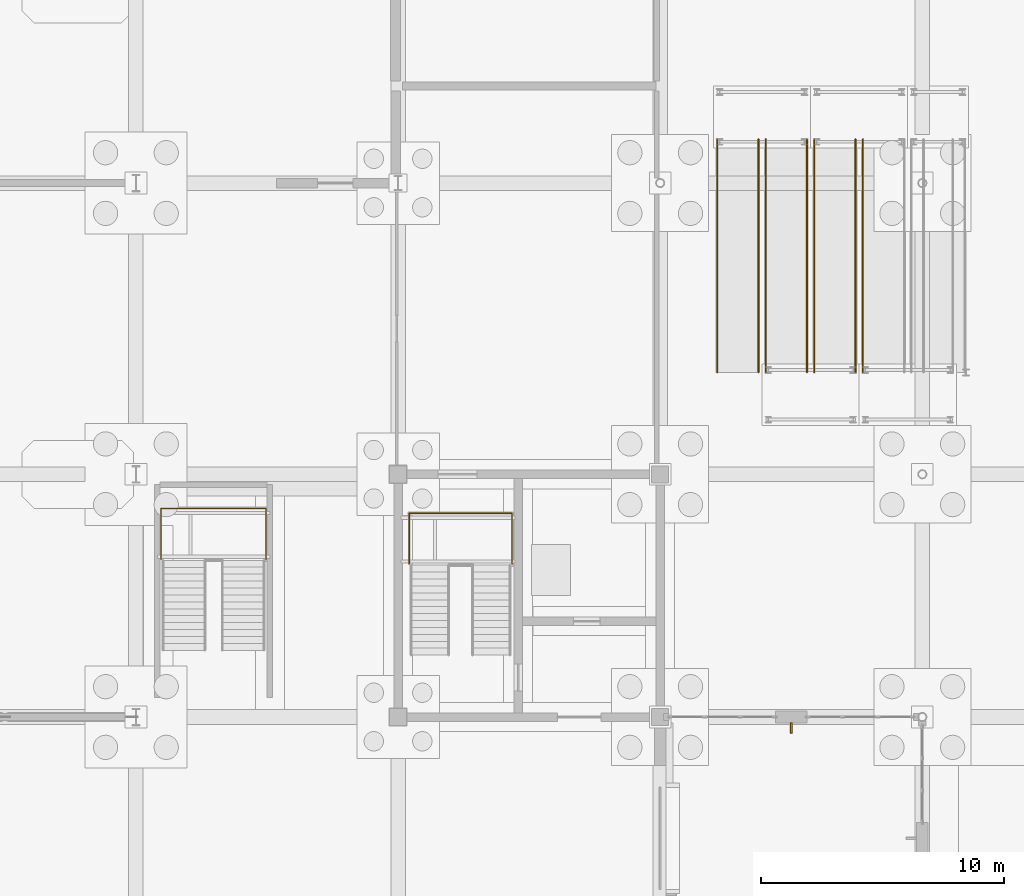
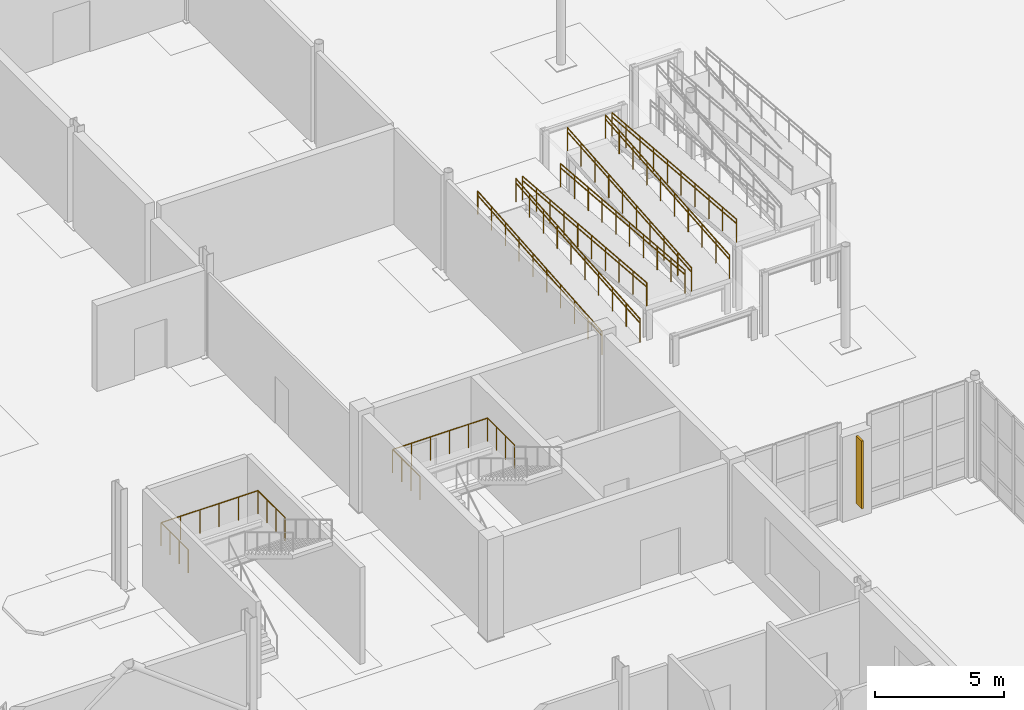
# One storey, part 63 of 73: 16 railings, 1 shading device.
"""IFC4 building model written with IfcOpenShell, lengths in metres."""

from ifc_helpers import new_model, si_unit, direction, frame, origin, origin_2d, place, context, subcontext, project, spatial, rectangle, circle, extrude, material, type_object, element, save


model = new_model("IFC4")

# Units and contexts
model_context = context("Model", 3, precision=1e-05, world=origin(), true_north=direction((0.0, 1.0)))
body_context = subcontext(model_context, "Body", "Model", "MODEL_VIEW")
ifc_project = project(units=[si_unit("LENGTHUNIT", "METRE"), si_unit("AREAUNIT", "SQUARE_METRE"), si_unit("VOLUMEUNIT", "CUBIC_METRE"), si_unit("PLANEANGLEUNIT", "RADIAN"), si_unit("MASSUNIT", "GRAM", prefix="KILO")], contexts=[model_context])

# Site, building, storey
site_placement = place(None, origin())
site = spatial("IfcSite", under=ifc_project, at=site_placement, CompositionType="ELEMENT")
building_placement = place(site_placement, origin())
building = spatial("IfcBuilding", under=site, at=building_placement, Name="Tasgan Crest Museum", CompositionType="ELEMENT")
storey_placement = place(building_placement, origin())
storey = spatial("IfcBuildingStorey", under=building, at=storey_placement, Name="L00", CompositionType="ELEMENT", Elevation=0.0)

# Railings
ifc_material_1 = material(Name="Brushed Bronze and Toughened Glass", Category="glass")
railing_type_1 = type_object("IfcRailingType", Name="RL-INT-GUARD-1120", PredefinedType="GUARDRAIL", material=ifc_material_1)
railing_1_placement = place(storey_placement, frame((43.659912109375, 46.294921875, 2.39990234375)))
element("IfcRailing", 1, at=railing_1_placement, inside=storey, type_object=railing_type_1, Name="Stair half-landing perimeter guard ST-SW-L00 T1", PredefinedType="GUARDRAIL", context=body_context, shape_type="SweptSolid", body=[
    extrude(circle(Radius=0.02392578125, at=origin_2d()), frame((0.0, 0.0, 1.09619140625), z_axis=(0.0, 1.0, 0.0), x_axis=(-1.0, 0.0, 0.0)), (0.0, 0.0, 1.0), 2.10009765625),
    extrude(circle(Radius=0.02392578125, at=origin_2d()), frame((0.0, 2.10009765625, 1.09619140625), z_axis=(1.0, 0.0, 0.0), x_axis=(0.0, 1.0, 0.0)), (0.0, 0.0, 1.0), 4.22998046875),
    extrude(circle(Radius=0.02392578125, at=origin_2d()), frame((4.22998046875, 2.10009765625, 1.09619140625), z_axis=(0.0, -1.0, 0.0), x_axis=(1.0, 0.0, 0.0)), (0.0, 0.0, 1.0), 2.10009765625),
    extrude(circle(Radius=0.02099609375, at=origin_2d()), origin(), (0.0, 0.0, 1.0), 1.072021484375),
    extrude(circle(Radius=0.02099609375, at=origin_2d()), frame((0.0, 0.699951171875, 0.0)), (0.0, 0.0, 1.0), 1.072021484375),
    extrude(circle(Radius=0.02099609375, at=origin_2d()), frame((0.0, 1.400146484375, 0.0)), (0.0, 0.0, 1.0), 1.072021484375),
    extrude(circle(Radius=0.02099609375, at=origin_2d()), frame((0.0, 2.10009765625, 0.0)), (0.0, 0.0, 1.0), 1.072021484375),
    extrude(circle(Radius=0.02099609375, at=origin_2d()), frame((0.845947265625, 2.10009765625, 0.0)), (0.0, 0.0, 1.0), 1.072021484375),
    extrude(circle(Radius=0.02099609375, at=origin_2d()), frame((1.69189453125, 2.10009765625, 0.0)), (0.0, 0.0, 1.0), 1.072021484375),
    extrude(circle(Radius=0.02099609375, at=origin_2d()), frame((2.5380859375, 2.10009765625, 0.0)), (0.0, 0.0, 1.0), 1.072021484375),
    extrude(circle(Radius=0.02099609375, at=origin_2d()), frame((3.384033203125, 2.10009765625, 0.0)), (0.0, 0.0, 1.0), 1.072021484375),
    extrude(circle(Radius=0.02099609375, at=origin_2d()), frame((4.22998046875, 2.10009765625, 0.0)), (0.0, 0.0, 1.0), 1.072021484375),
    extrude(circle(Radius=0.02099609375, at=origin_2d()), frame((4.22998046875, 1.400146484375, 0.0)), (0.0, 0.0, 1.0), 1.072021484375),
    extrude(circle(Radius=0.02099609375, at=origin_2d()), frame((4.22998046875, 0.699951171875, 0.0)), (0.0, 0.0, 1.0), 1.072021484375),
    extrude(circle(Radius=0.02099609375, at=origin_2d()), frame((4.22998046875, 0.0, 0.0)), (0.0, 0.0, 1.0), 1.072021484375),
])
railing_2_placement = place(storey_placement, frame((33.43994140625, 46.4951171875, 2.39990234375)))
element("IfcRailing", 2, at=railing_2_placement, inside=storey, type_object=railing_type_1, Name="Stair half-landing perimeter guard ST-GP-L00 T1", PredefinedType="GUARDRAIL", context=body_context, shape_type="SweptSolid", body=[
    extrude(circle(Radius=0.02392578125, at=origin_2d()), frame((0.0, 0.0, 1.09619140625), z_axis=(0.0, 1.0, 0.0), x_axis=(-1.0, 0.0, 0.0)), (0.0, 0.0, 1.0), 2.099853515625),
    extrude(circle(Radius=0.02392578125, at=origin_2d()), frame((0.0, 2.099853515625, 1.09619140625), z_axis=(1.0, 0.0, 0.0), x_axis=(0.0, 1.0, 0.0)), (0.0, 0.0, 1.0), 4.320068359375),
    extrude(circle(Radius=0.02392578125, at=origin_2d()), frame((4.320068359375, 2.099853515625, 1.09619140625), z_axis=(0.0, -1.0, 0.0), x_axis=(1.0, 0.0, 0.0)), (0.0, 0.0, 1.0), 2.099853515625),
    extrude(circle(Radius=0.02099609375, at=origin_2d()), origin(), (0.0, 0.0, 1.0), 1.072021484375),
    extrude(circle(Radius=0.02099609375, at=origin_2d()), frame((0.0, 0.699951171875, 0.0)), (0.0, 0.0, 1.0), 1.072021484375),
    extrude(circle(Radius=0.02099609375, at=origin_2d()), frame((0.0, 1.39990234375, 0.0)), (0.0, 0.0, 1.0), 1.072021484375),
    extrude(circle(Radius=0.02099609375, at=origin_2d()), frame((0.0, 2.099853515625, 0.0)), (0.0, 0.0, 1.0), 1.072021484375),
    extrude(circle(Radius=0.02099609375, at=origin_2d()), frame((0.864013671875, 2.099853515625, 0.0)), (0.0, 0.0, 1.0), 1.072021484375),
    extrude(circle(Radius=0.02099609375, at=origin_2d()), frame((1.72802734375, 2.099853515625, 0.0)), (0.0, 0.0, 1.0), 1.072021484375),
    extrude(circle(Radius=0.02099609375, at=origin_2d()), frame((2.592041015625, 2.099853515625, 0.0)), (0.0, 0.0, 1.0), 1.072021484375),
    extrude(circle(Radius=0.02099609375, at=origin_2d()), frame((3.4560546875, 2.099853515625, 0.0)), (0.0, 0.0, 1.0), 1.072021484375),
    extrude(circle(Radius=0.02099609375, at=origin_2d()), frame((4.320068359375, 2.099853515625, 0.0)), (0.0, 0.0, 1.0), 1.072021484375),
    extrude(circle(Radius=0.02099609375, at=origin_2d()), frame((4.320068359375, 1.39990234375, 0.0)), (0.0, 0.0, 1.0), 1.072021484375),
    extrude(circle(Radius=0.02099609375, at=origin_2d()), frame((4.320068359375, 0.699951171875, 0.0)), (0.0, 0.0, 1.0), 1.072021484375),
    extrude(circle(Radius=0.02099609375, at=origin_2d()), frame((4.320068359375, 0.0, 0.0)), (0.0, 0.0, 1.0), 1.072021484375),
])
for number, where, name in (
    (3, (56.35009765625, 54.199951171875, 0.0), "Ramp edge guard 1L"),
    (4, (58.050048828125, 54.199951171875, 0.0), "Ramp edge guard 1R"),
):
    element("IfcRailing", number, at=place(storey_placement, frame(where)), inside=storey, type_object=railing_type_1, Name=name, PredefinedType="GUARDRAIL", context=body_context, shape_type="SweptSolid", body=[
        extrude(circle(Radius=0.02392578125, at=origin_2d()), frame((0.0, 0.0, 1.09619140625), z_axis=(0.0, 0.996545408675, 0.08304967459), x_axis=(-1.0, 0.0, 0.0)), (0.0, 0.0, 1.0), 9.63330078125),
        extrude(circle(Radius=0.02099609375, at=origin_2d()), origin(), (0.0, 0.0, 1.0), 1.072021484375),
        extrude(circle(Radius=0.02099609375, at=origin_2d()), frame((0.0, 1.066650390625, 0.0888671875)), (0.0, 0.0, 1.0), 1.072021484375),
        extrude(circle(Radius=0.02099609375, at=origin_2d()), frame((0.0, 2.13330078125, 0.177734375)), (0.0, 0.0, 1.0), 1.072021484375),
        extrude(circle(Radius=0.02099609375, at=origin_2d()), frame((0.0, 3.199951171875, 0.2666015625)), (0.0, 0.0, 1.0), 1.072021484375),
        extrude(circle(Radius=0.02099609375, at=origin_2d()), frame((0.0, 4.2666015625, 0.35546875)), (0.0, 0.0, 1.0), 1.072021484375),
        extrude(circle(Radius=0.02099609375, at=origin_2d()), frame((0.0, 5.33349609375, 0.444580078125)), (0.0, 0.0, 1.0), 1.072021484375),
        extrude(circle(Radius=0.02099609375, at=origin_2d()), frame((0.0, 6.400146484375, 0.533447265625)), (0.0, 0.0, 1.0), 1.072021484375),
        extrude(circle(Radius=0.02099609375, at=origin_2d()), frame((0.0, 7.466796875, 0.622314453125)), (0.0, 0.0, 1.0), 1.072021484375),
        extrude(circle(Radius=0.02099609375, at=origin_2d()), frame((0.0, 8.533447265625, 0.711181640625)), (0.0, 0.0, 1.0), 1.072021484375),
        extrude(circle(Radius=0.02099609375, at=origin_2d()), frame((0.0, 9.60009765625, 0.800048828125)), (0.0, 0.0, 1.0), 1.072021484375),
    ])
for number, where, name in (
    (5, (60.050048828125, 63.800048828125, 0.800048828125), "Ramp edge guard 2L"),
    (6, (58.35009765625, 63.800048828125, 0.800048828125), "Ramp edge guard 2R"),
):
    element("IfcRailing", number, at=place(storey_placement, frame(where)), inside=storey, type_object=railing_type_1, Name=name, PredefinedType="GUARDRAIL", context=body_context, shape_type="SweptSolid", body=[
        extrude(circle(Radius=0.02392578125, at=origin_2d()), frame((0.0, 0.0, 1.09619140625), z_axis=(0.0, -0.996545408675, 0.08304967459), x_axis=(1.0, 0.0, 0.0)), (0.0, 0.0, 1.0), 9.63330078125),
        extrude(circle(Radius=0.02099609375, at=origin_2d()), origin(), (0.0, 0.0, 1.0), 1.072021484375),
        extrude(circle(Radius=0.02099609375, at=origin_2d()), frame((0.0, -1.066650390625, 0.0888671875)), (0.0, 0.0, 1.0), 1.072021484375),
        extrude(circle(Radius=0.02099609375, at=origin_2d()), frame((0.0, -2.13330078125, 0.177734375)), (0.0, 0.0, 1.0), 1.072021484375),
        extrude(circle(Radius=0.02099609375, at=origin_2d()), frame((0.0, -3.199951171875, 0.2666015625)), (0.0, 0.0, 1.0), 1.072021484375),
        extrude(circle(Radius=0.02099609375, at=origin_2d()), frame((0.0, -4.2666015625, 0.35546875)), (0.0, 0.0, 1.0), 1.072021484375),
        extrude(circle(Radius=0.02099609375, at=origin_2d()), frame((0.0, -5.33349609375, 0.444580078125)), (0.0, 0.0, 1.0), 1.072021484375),
        extrude(circle(Radius=0.02099609375, at=origin_2d()), frame((0.0, -6.400146484375, 0.533447265625)), (0.0, 0.0, 1.0), 1.072021484375),
        extrude(circle(Radius=0.02099609375, at=origin_2d()), frame((0.0, -7.466796875, 0.622314453125)), (0.0, 0.0, 1.0), 1.072021484375),
        extrude(circle(Radius=0.02099609375, at=origin_2d()), frame((0.0, -8.533447265625, 0.711181640625)), (0.0, 0.0, 1.0), 1.072021484375),
        extrude(circle(Radius=0.02099609375, at=origin_2d()), frame((0.0, -9.60009765625, 0.800048828125)), (0.0, 0.0, 1.0), 1.072021484375),
    ])
for number, where, name in (
    (7, (60.35009765625, 54.199951171875, 1.60009765625), "Ramp edge guard 3L"),
    (8, (62.050048828125, 54.199951171875, 1.60009765625), "Ramp edge guard 3R"),
):
    element("IfcRailing", number, at=place(storey_placement, frame(where)), inside=storey, type_object=railing_type_1, Name=name, PredefinedType="GUARDRAIL", context=body_context, shape_type="SweptSolid", body=[
        extrude(circle(Radius=0.02392578125, at=origin_2d()), frame((0.0, 0.0, 1.09619140625), z_axis=(0.0, 0.996547505835, 0.083024506106), x_axis=(-1.0, 0.0, 0.0)), (0.0, 0.0, 1.0), 9.63330078125),
        extrude(circle(Radius=0.02099609375, at=origin_2d()), origin(), (0.0, 0.0, 1.0), 1.072021484375),
        extrude(circle(Radius=0.02099609375, at=origin_2d()), frame((0.0, 1.066650390625, 0.0888671875)), (0.0, 0.0, 1.0), 1.072021484375),
        extrude(circle(Radius=0.02099609375, at=origin_2d()), frame((0.0, 2.13330078125, 0.177734375)), (0.0, 0.0, 1.0), 1.072021484375),
        extrude(circle(Radius=0.02099609375, at=origin_2d()), frame((0.0, 3.199951171875, 0.2666015625)), (0.0, 0.0, 1.0), 1.072021484375),
        extrude(circle(Radius=0.02099609375, at=origin_2d()), frame((0.0, 4.2666015625, 0.35546875)), (0.0, 0.0, 1.0), 1.072021484375),
        extrude(circle(Radius=0.02099609375, at=origin_2d()), frame((0.0, 5.33349609375, 0.4443359375)), (0.0, 0.0, 1.0), 1.072021484375),
        extrude(circle(Radius=0.02099609375, at=origin_2d()), frame((0.0, 6.400146484375, 0.533203125)), (0.0, 0.0, 1.0), 1.072021484375),
        extrude(circle(Radius=0.02099609375, at=origin_2d()), frame((0.0, 7.466796875, 0.6220703125)), (0.0, 0.0, 1.0), 1.072021484375),
        extrude(circle(Radius=0.02099609375, at=origin_2d()), frame((0.0, 8.533447265625, 0.7109375)), (0.0, 0.0, 1.0), 1.072021484375),
        extrude(circle(Radius=0.02099609375, at=origin_2d()), frame((0.0, 9.60009765625, 0.7998046875)), (0.0, 0.0, 1.0), 1.072021484375),
    ])
railing_3_placement = place(storey_placement, frame((62.35009765625, 63.800048828125, 2.39990234375)))
element("IfcRailing", 9, at=railing_3_placement, inside=storey, type_object=railing_type_1, Name="Ramp edge guard 4R", PredefinedType="GUARDRAIL", context=body_context, shape_type="SweptSolid", body=[
    extrude(circle(Radius=0.02392578125, at=origin_2d()), frame((0.0, 0.0, 1.09619140625), z_axis=(0.0, -0.996545408675, 0.08304967459), x_axis=(1.0, 0.0, 0.0)), (0.0, 0.0, 1.0), 9.63330078125),
    extrude(circle(Radius=0.02099609375, at=origin_2d()), origin(), (0.0, 0.0, 1.0), 1.072021484375),
    extrude(circle(Radius=0.02099609375, at=origin_2d()), frame((0.0, -1.066650390625, 0.0888671875)), (0.0, 0.0, 1.0), 1.072021484375),
    extrude(circle(Radius=0.02099609375, at=origin_2d()), frame((0.0, -2.13330078125, 0.177734375)), (0.0, 0.0, 1.0), 1.072021484375),
    extrude(circle(Radius=0.02099609375, at=origin_2d()), frame((0.0, -3.199951171875, 0.2666015625)), (0.0, 0.0, 1.0), 1.072021484375),
    extrude(circle(Radius=0.02099609375, at=origin_2d()), frame((0.0, -4.2666015625, 0.35546875)), (0.0, 0.0, 1.0), 1.072021484375),
    extrude(circle(Radius=0.02099609375, at=origin_2d()), frame((0.0, -5.33349609375, 0.444580078125)), (0.0, 0.0, 1.0), 1.072021484375),
    extrude(circle(Radius=0.02099609375, at=origin_2d()), frame((0.0, -6.400146484375, 0.533447265625)), (0.0, 0.0, 1.0), 1.072021484375),
    extrude(circle(Radius=0.02099609375, at=origin_2d()), frame((0.0, -7.466796875, 0.622314453125)), (0.0, 0.0, 1.0), 1.072021484375),
    extrude(circle(Radius=0.02099609375, at=origin_2d()), frame((0.0, -8.533447265625, 0.711181640625)), (0.0, 0.0, 1.0), 1.072021484375),
    extrude(circle(Radius=0.02099609375, at=origin_2d()), frame((0.0, -9.60009765625, 0.800048828125)), (0.0, 0.0, 1.0), 1.072021484375),
])
ifc_material_2 = material(Name="Brushed Stainless Steel", Category="steel")
railing_type_2 = type_object("IfcRailingType", Name="RL-STAIR-HAND-920", PredefinedType="HANDRAIL", material=ifc_material_2)
for number, where, name in (
    (10, (56.35009765625, 54.199951171875, 0.0), "Ramp handrail 1L"),
    (11, (58.050048828125, 54.199951171875, 0.0), "Ramp handrail 1R"),
):
    element("IfcRailing", number, at=place(storey_placement, frame(where)), inside=storey, type_object=railing_type_2, Name=name, PredefinedType="HANDRAIL", context=body_context, shape_type="SweptSolid", body=[
        extrude(circle(Radius=0.02392578125, at=origin_2d()), frame((0.0, 0.0, 0.89599609375), z_axis=(0.0, 0.996545408675, 0.08304967459), x_axis=(-1.0, 0.0, 0.0)), (0.0, 0.0, 1.0), 9.63330078125),
        extrude(circle(Radius=0.02099609375, at=origin_2d()), origin(), (0.0, 0.0, 1.0), 0.871826171875),
        extrude(circle(Radius=0.02099609375, at=origin_2d()), frame((0.0, 1.066650390625, 0.0888671875)), (0.0, 0.0, 1.0), 0.871826171875),
        extrude(circle(Radius=0.02099609375, at=origin_2d()), frame((0.0, 2.13330078125, 0.177734375)), (0.0, 0.0, 1.0), 0.871826171875),
        extrude(circle(Radius=0.02099609375, at=origin_2d()), frame((0.0, 3.199951171875, 0.2666015625)), (0.0, 0.0, 1.0), 0.871826171875),
        extrude(circle(Radius=0.02099609375, at=origin_2d()), frame((0.0, 4.2666015625, 0.35546875)), (0.0, 0.0, 1.0), 0.871826171875),
        extrude(circle(Radius=0.02099609375, at=origin_2d()), frame((0.0, 5.33349609375, 0.444580078125)), (0.0, 0.0, 1.0), 0.871826171875),
        extrude(circle(Radius=0.02099609375, at=origin_2d()), frame((0.0, 6.400146484375, 0.533447265625)), (0.0, 0.0, 1.0), 0.871826171875),
        extrude(circle(Radius=0.02099609375, at=origin_2d()), frame((0.0, 7.466796875, 0.622314453125)), (0.0, 0.0, 1.0), 0.871826171875),
        extrude(circle(Radius=0.02099609375, at=origin_2d()), frame((0.0, 8.533447265625, 0.711181640625)), (0.0, 0.0, 1.0), 0.871826171875),
        extrude(circle(Radius=0.02099609375, at=origin_2d()), frame((0.0, 9.60009765625, 0.800048828125)), (0.0, 0.0, 1.0), 0.871826171875),
    ])
for number, where, name in (
    (12, (60.050048828125, 63.800048828125, 0.800048828125), "Ramp handrail 2L"),
    (13, (58.35009765625, 63.800048828125, 0.800048828125), "Ramp handrail 2R"),
):
    element("IfcRailing", number, at=place(storey_placement, frame(where)), inside=storey, type_object=railing_type_2, Name=name, PredefinedType="HANDRAIL", context=body_context, shape_type="SweptSolid", body=[
        extrude(circle(Radius=0.02392578125, at=origin_2d()), frame((0.0, 0.0, 0.89599609375), z_axis=(0.0, -0.996545408675, 0.08304967459), x_axis=(1.0, 0.0, 0.0)), (0.0, 0.0, 1.0), 9.63330078125),
        extrude(circle(Radius=0.02099609375, at=origin_2d()), origin(), (0.0, 0.0, 1.0), 0.871826171875),
        extrude(circle(Radius=0.02099609375, at=origin_2d()), frame((0.0, -1.066650390625, 0.0888671875)), (0.0, 0.0, 1.0), 0.871826171875),
        extrude(circle(Radius=0.02099609375, at=origin_2d()), frame((0.0, -2.13330078125, 0.177734375)), (0.0, 0.0, 1.0), 0.871826171875),
        extrude(circle(Radius=0.02099609375, at=origin_2d()), frame((0.0, -3.199951171875, 0.2666015625)), (0.0, 0.0, 1.0), 0.871826171875),
        extrude(circle(Radius=0.02099609375, at=origin_2d()), frame((0.0, -4.2666015625, 0.35546875)), (0.0, 0.0, 1.0), 0.871826171875),
        extrude(circle(Radius=0.02099609375, at=origin_2d()), frame((0.0, -5.33349609375, 0.444580078125)), (0.0, 0.0, 1.0), 0.871826171875),
        extrude(circle(Radius=0.02099609375, at=origin_2d()), frame((0.0, -6.400146484375, 0.533447265625)), (0.0, 0.0, 1.0), 0.871826171875),
        extrude(circle(Radius=0.02099609375, at=origin_2d()), frame((0.0, -7.466796875, 0.622314453125)), (0.0, 0.0, 1.0), 0.871826171875),
        extrude(circle(Radius=0.02099609375, at=origin_2d()), frame((0.0, -8.533447265625, 0.711181640625)), (0.0, 0.0, 1.0), 0.871826171875),
        extrude(circle(Radius=0.02099609375, at=origin_2d()), frame((0.0, -9.60009765625, 0.800048828125)), (0.0, 0.0, 1.0), 0.871826171875),
    ])
for number, where, name in (
    (14, (60.35009765625, 54.199951171875, 1.60009765625), "Ramp handrail 3L"),
    (15, (62.050048828125, 54.199951171875, 1.60009765625), "Ramp handrail 3R"),
):
    element("IfcRailing", number, at=place(storey_placement, frame(where)), inside=storey, type_object=railing_type_2, Name=name, PredefinedType="HANDRAIL", context=body_context, shape_type="SweptSolid", body=[
        extrude(circle(Radius=0.02392578125, at=origin_2d()), frame((0.0, 0.0, 0.89599609375), z_axis=(0.0, 0.996547505835, 0.083024506106), x_axis=(-1.0, 0.0, 0.0)), (0.0, 0.0, 1.0), 9.63330078125),
        extrude(circle(Radius=0.02099609375, at=origin_2d()), origin(), (0.0, 0.0, 1.0), 0.871826171875),
        extrude(circle(Radius=0.02099609375, at=origin_2d()), frame((0.0, 1.066650390625, 0.0888671875)), (0.0, 0.0, 1.0), 0.871826171875),
        extrude(circle(Radius=0.02099609375, at=origin_2d()), frame((0.0, 2.13330078125, 0.177734375)), (0.0, 0.0, 1.0), 0.871826171875),
        extrude(circle(Radius=0.02099609375, at=origin_2d()), frame((0.0, 3.199951171875, 0.2666015625)), (0.0, 0.0, 1.0), 0.871826171875),
        extrude(circle(Radius=0.02099609375, at=origin_2d()), frame((0.0, 4.2666015625, 0.35546875)), (0.0, 0.0, 1.0), 0.871826171875),
        extrude(circle(Radius=0.02099609375, at=origin_2d()), frame((0.0, 5.33349609375, 0.4443359375)), (0.0, 0.0, 1.0), 0.871826171875),
        extrude(circle(Radius=0.02099609375, at=origin_2d()), frame((0.0, 6.400146484375, 0.533203125)), (0.0, 0.0, 1.0), 0.871826171875),
        extrude(circle(Radius=0.02099609375, at=origin_2d()), frame((0.0, 7.466796875, 0.6220703125)), (0.0, 0.0, 1.0), 0.871826171875),
        extrude(circle(Radius=0.02099609375, at=origin_2d()), frame((0.0, 8.533447265625, 0.7109375)), (0.0, 0.0, 1.0), 0.871826171875),
        extrude(circle(Radius=0.02099609375, at=origin_2d()), frame((0.0, 9.60009765625, 0.7998046875)), (0.0, 0.0, 1.0), 0.871826171875),
    ])
railing_4_placement = place(storey_placement, frame((62.35009765625, 63.800048828125, 2.39990234375)))
element("IfcRailing", 16, at=railing_4_placement, inside=storey, type_object=railing_type_2, Name="Ramp handrail 4R", PredefinedType="HANDRAIL", context=body_context, shape_type="SweptSolid", body=[
    extrude(circle(Radius=0.02392578125, at=origin_2d()), frame((0.0, 0.0, 0.89599609375), z_axis=(0.0, -0.996545408675, 0.08304967459), x_axis=(1.0, 0.0, 0.0)), (0.0, 0.0, 1.0), 9.63330078125),
    extrude(circle(Radius=0.02099609375, at=origin_2d()), origin(), (0.0, 0.0, 1.0), 0.871826171875),
    extrude(circle(Radius=0.02099609375, at=origin_2d()), frame((0.0, -1.066650390625, 0.0888671875)), (0.0, 0.0, 1.0), 0.871826171875),
    extrude(circle(Radius=0.02099609375, at=origin_2d()), frame((0.0, -2.13330078125, 0.177734375)), (0.0, 0.0, 1.0), 0.871826171875),
    extrude(circle(Radius=0.02099609375, at=origin_2d()), frame((0.0, -3.199951171875, 0.2666015625)), (0.0, 0.0, 1.0), 0.871826171875),
    extrude(circle(Radius=0.02099609375, at=origin_2d()), frame((0.0, -4.2666015625, 0.35546875)), (0.0, 0.0, 1.0), 0.871826171875),
    extrude(circle(Radius=0.02099609375, at=origin_2d()), frame((0.0, -5.33349609375, 0.444580078125)), (0.0, 0.0, 1.0), 0.871826171875),
    extrude(circle(Radius=0.02099609375, at=origin_2d()), frame((0.0, -6.400146484375, 0.533447265625)), (0.0, 0.0, 1.0), 0.871826171875),
    extrude(circle(Radius=0.02099609375, at=origin_2d()), frame((0.0, -7.466796875, 0.622314453125)), (0.0, 0.0, 1.0), 0.871826171875),
    extrude(circle(Radius=0.02099609375, at=origin_2d()), frame((0.0, -8.533447265625, 0.711181640625)), (0.0, 0.0, 1.0), 0.871826171875),
    extrude(circle(Radius=0.02099609375, at=origin_2d()), frame((0.0, -9.60009765625, 0.800048828125)), (0.0, 0.0, 1.0), 0.871826171875),
])

# Shading device
ifc_material_3 = material(Name="Anodised Bronze Aluminium", Category="aluminium")
shading_device_type = type_object("IfcShadingDeviceType", Name="SH-FIN-V400", PredefinedType="JALOUSIE", material=ifc_material_3)
shading_device_placement = place(storey_placement, frame((59.39990234375, 39.550048828125, 0.68017578125), z_axis=(0.0, 0.0, 1.0), x_axis=(1.0, 0.0, 0.0)))
element("IfcShadingDevice", 17, at=shading_device_placement, inside=storey, type_object=shading_device_type, Name="Facade pier solar fin L00", PredefinedType="JALOUSIE", context=body_context, shape_type="SweptSolid", body=[
    extrude(rectangle(XDim=0.080078125, YDim=0.419921875, at=origin_2d()), origin(), (0.0, 0.0, 1.0), 3.199951171875),
])

save(model, "model.ifc")
